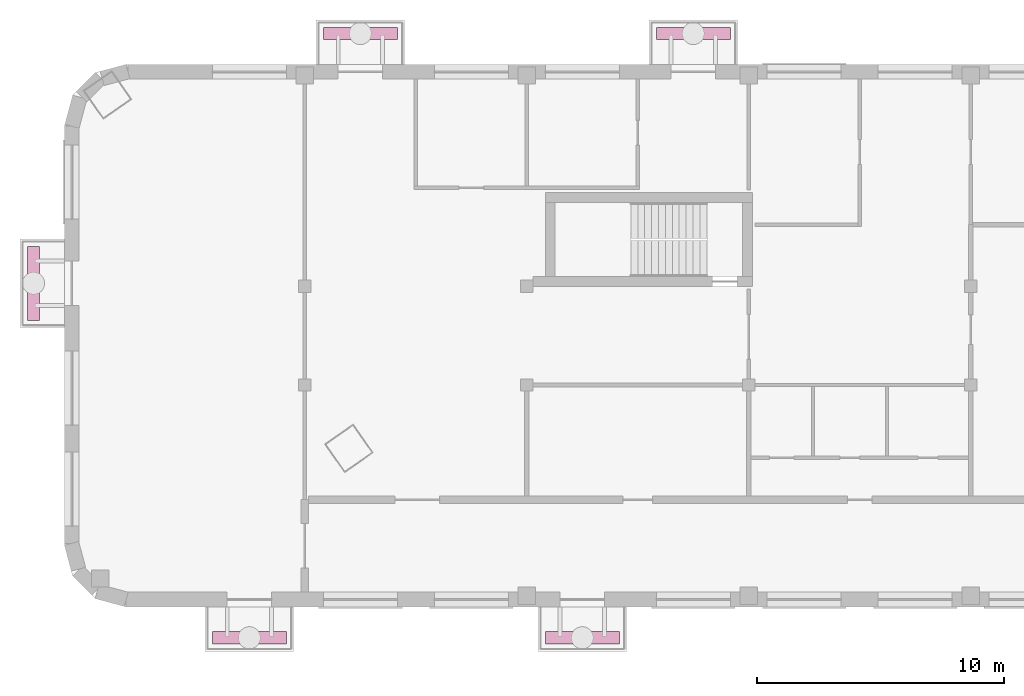
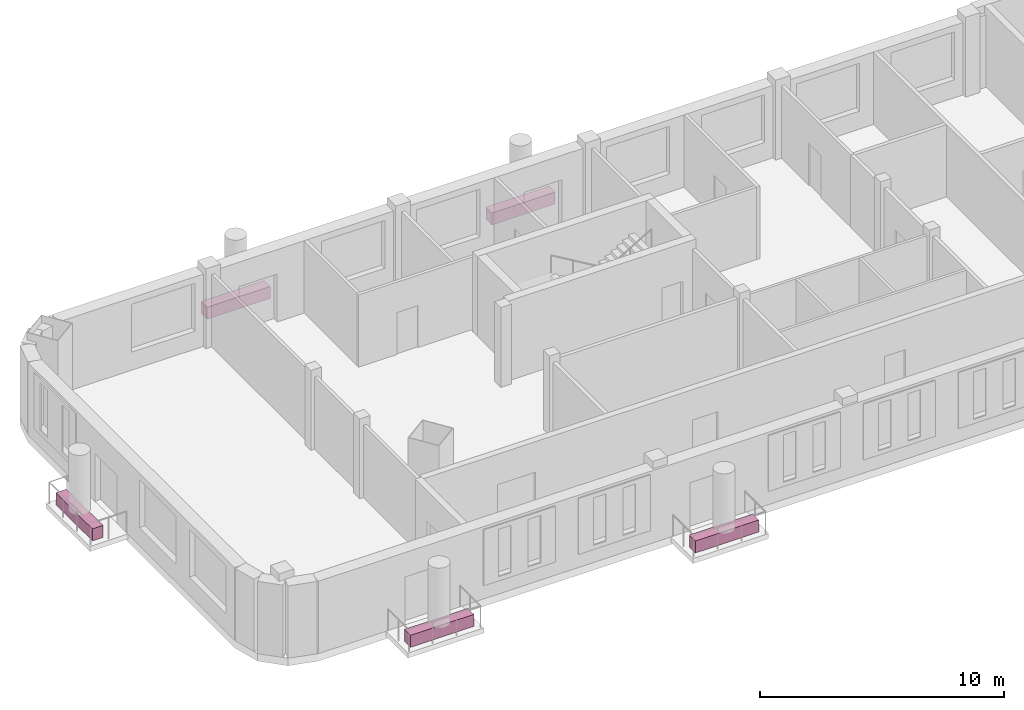
# One storey, part 7 of 8: 5 furniture elements.
"""IFC4 building model written with IfcOpenShell, lengths in metres."""

from ifc_helpers import new_model, si_unit, direction, frame, origin, origin_2d, place, context, subcontext, project, spatial, rectangle, extrude, element, save


model = new_model("IFC4")

# Units and contexts
model_context = context("Model", 3, precision=1e-05, world=origin(), true_north=direction((0.0, 1.0)))
body_context = subcontext(model_context, "Body", "Model", "MODEL_VIEW")
ifc_project = project(units=[si_unit("LENGTHUNIT", "METRE"), si_unit("AREAUNIT", "SQUARE_METRE"), si_unit("VOLUMEUNIT", "CUBIC_METRE"), si_unit("PLANEANGLEUNIT", "RADIAN"), si_unit("MASSUNIT", "GRAM", prefix="KILO")], contexts=[model_context])

# Site, building, storey
site_placement = place(None, origin())
site = spatial("IfcSite", under=ifc_project, at=site_placement, CompositionType="ELEMENT")
building_placement = place(site_placement, origin())
building = spatial("IfcBuilding", under=site, at=building_placement, Name="Skarvind Civic Tower", CompositionType="ELEMENT")
storey_placement = place(building_placement, frame((0.0, 0.0, 253.5)))
storey = spatial("IfcBuildingStorey", under=building, at=storey_placement, Name="L60", CompositionType="ELEMENT", Elevation=253.5)

# Furniture
for number, where, z_axis, x_axis, name in (
    (1, (56.5, 140.25, 0.0), (0.0, 0.0, 1.0), (1.0, 0.0, 0.0), "TREE BALCONY PLANTER"),
    (2, (70.0, 140.25, 0.0), (0.0, 0.0, 1.0), (1.0, 0.0, 0.0), "TREE BALCONY PLANTER"),
    (3, (43.25, 130.125, 0.0), (0.0, 0.0, 1.0), (0.0, 1.0, 0.0), "TREE BALCONY PLANTER"),
    (4, (65.5, 115.75, 0.0), (0.0, 0.0, 1.0), (-1.0, 0.0, 0.0), "TREE BALCONY PLANTER"),
    (5, (52.0, 115.75, 0.0), (0.0, 0.0, 1.0), (-1.0, 0.0, 0.0), "TREE BALCONY PLANTER"),
):
    element("IfcFurniture", number, at=place(storey_placement, frame(where, z_axis=z_axis, x_axis=x_axis)), inside=storey, Name=name, ObjectType="PLANTER", PredefinedType="USERDEFINED", context=body_context, shape_type="SweptSolid", body=[
        extrude(rectangle(XDim=3.0, YDim=0.5, at=origin_2d()), origin(), (0.0, 0.0, 1.0), 0.60009765625),
    ])

save(model, "model.ifc")
